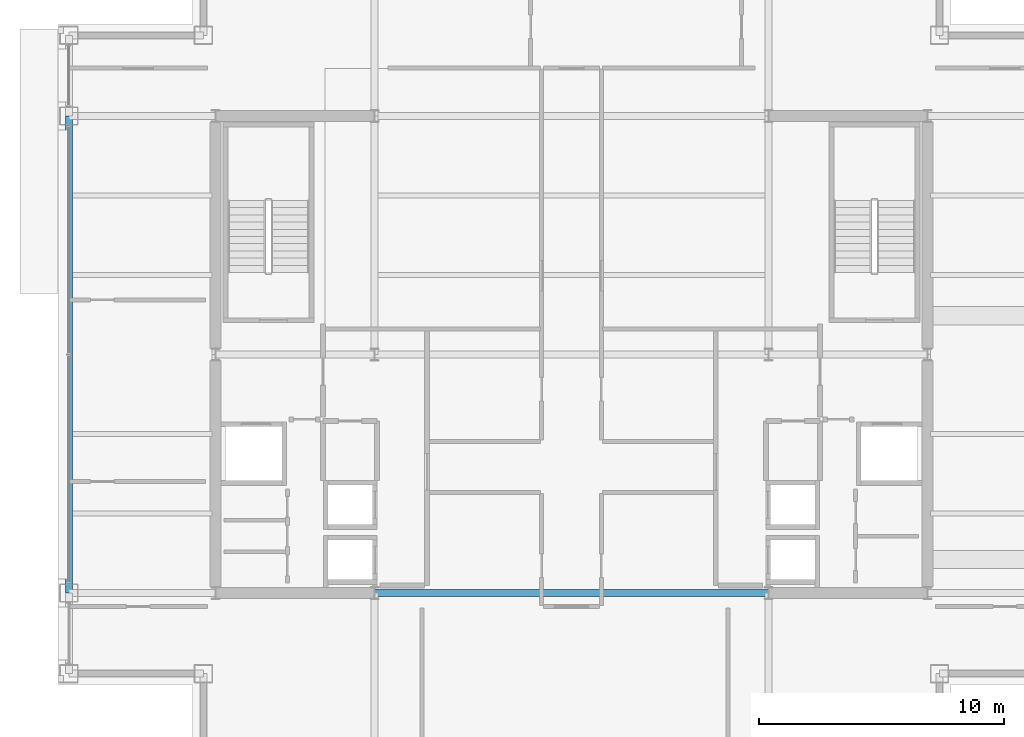
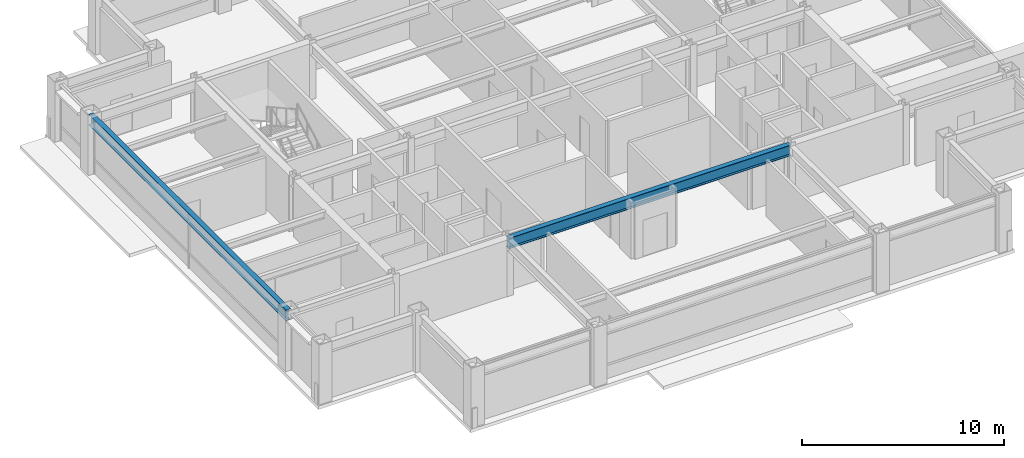
# One storey, part 7 of 26: 2 beams.
"""IFC4 building model written with IfcOpenShell, lengths in metres."""

import ifcopenshell
import ifcopenshell.guid

model = None  # the IFC model being written
_history = None  # IfcOwnerHistory: only IFC2X3 demands one
_inside = {}  # id of a spatial element -> (the spatial element, [elements in it])
_under = {}  # id of a project, library or spatial element -> (it, [spatial elements below it])
_declared = {}  # id of a project -> (the project, [libraries it declares])
_typed = {}  # id of a type object -> (the type object, [elements of that type])
_made_of = {}  # id of a material, layer set ... -> (it, [elements and type objects made of it])


def new_model(schema):
    """Start an empty IFC model of exactly this schema.

    Asked for "IFC4X3", IfcOpenShell would pick the latest addendum, in which some entities
    have other attributes; the version numbers below select the first issue.
    IFC2X3 requires an IfcOwnerHistory on every rooted entity: one is made here for all.
    """
    global model, _history
    if schema == "IFC4X3":
        model = ifcopenshell.file(schema_version=(4, 3, 0, 0))
    else:
        model = ifcopenshell.file(schema=schema)
    _inside.clear()
    _under.clear()
    _declared.clear()
    _typed.clear()
    _made_of.clear()
    _history = None
    if model.schema == "IFC2X3":
        org = make("IfcOrganization", Name="unknown")
        user = make(
            "IfcPersonAndOrganization",
            ThePerson=make("IfcPerson", FamilyName="unknown"),
            TheOrganization=org,
        )
        app = make(
            "IfcApplication",
            ApplicationDeveloper=org,
            Version="unknown",
            ApplicationFullName="unknown",
            ApplicationIdentifier="unknown",
        )
        _history = make(
            "IfcOwnerHistory",
            OwningUser=user,
            OwningApplication=app,
            ChangeAction="ADDED",
            CreationDate=0,
        )
    return model


def make(cls, **values):
    """One entity of the class cls with the attributes given. An attribute that is None is left unset."""
    return model.create_entity(
        cls, **{name: value for name, value in values.items() if value is not None}
    )


def rooted(cls, **values):
    """An entity with a GlobalId (a new one), such as an element, a storey or a relation."""
    return make(cls, GlobalId=ifcopenshell.guid.new(), OwnerHistory=_history, **values)


def si_unit(unit_type, name, prefix=None):
    """IfcSIUnit, for example si_unit("LENGTHUNIT", "METRE", prefix="MILLI")."""
    return make("IfcSIUnit", UnitType=unit_type, Prefix=prefix, Name=name)


def assignment(units):
    """IfcUnitAssignment: the units of a project."""
    return None if units is None else make("IfcUnitAssignment", Units=units)


def point(xyz):
    """IfcCartesianPoint."""
    return None if xyz is None else make("IfcCartesianPoint", Coordinates=xyz)


def direction(xyz):
    """IfcDirection."""
    return None if xyz is None else make("IfcDirection", DirectionRatios=xyz)


def frame(location, z_axis=None, x_axis=None):
    """IfcAxis2Placement3D, a coordinate frame: its origin and axes. An axis left out is left unset."""
    return make(
        "IfcAxis2Placement3D",
        Location=point(location),
        Axis=direction(z_axis),
        RefDirection=direction(x_axis),
    )


def frame_2d(location, x_axis=None):
    """IfcAxis2Placement2D, a coordinate frame in the plane: its origin and x axis."""
    return make(
        "IfcAxis2Placement2D", Location=point(location), RefDirection=direction(x_axis)
    )


def origin():
    """The frame at (0, 0, 0) with its axes left unset."""
    return frame((0.0, 0.0, 0.0))


def origin_2d():
    """The frame at (0, 0) in the plane with its x axis left unset."""
    return frame_2d((0.0, 0.0))


def place(relative_to, where):
    """IfcLocalPlacement: puts the frame where relative to a parent placement (None: the world)."""
    return make(
        "IfcLocalPlacement", PlacementRelTo=relative_to, RelativePlacement=where
    )


def context(
    kind, dimensions, precision=None, world=None, true_north=None, identifier=None
):
    """IfcGeometricRepresentationContext, for example the 3D "Model" context."""
    return make(
        "IfcGeometricRepresentationContext",
        ContextIdentifier=identifier,
        ContextType=kind,
        CoordinateSpaceDimension=dimensions,
        Precision=precision,
        WorldCoordinateSystem=world,
        TrueNorth=true_north,
    )


def subcontext(parent, identifier, kind, view, scale=None):
    """IfcGeometricRepresentationSubContext, for example "Body" below "Model"."""
    return make(
        "IfcGeometricRepresentationSubContext",
        ContextIdentifier=identifier,
        ContextType=kind,
        ParentContext=parent,
        TargetScale=scale,
        TargetView=view,
    )


def project(units=None, contexts=None):
    """IfcProject with its units and contexts."""
    return rooted(
        "IfcProject",
        Name="project",
        RepresentationContexts=contexts,
        UnitsInContext=assignment(units),
    )


def spatial(cls, under=None, at=None, **own):
    """A site, building, storey or space (cls), placed at a placement, below another one or the project."""
    s = rooted(cls, ObjectPlacement=at, **own)
    if under is not None:
        _under.setdefault(under.id(), (under, []))[1].append(s)
    return s


def profile(cls, at=None, kind="AREA", **sizes):
    """A parametric profile (cls). Its sizes go by their IFC names, for example OverallWidth=200.0."""
    return make(cls, ProfileType=kind, Position=at, **sizes)


def i_section(**sizes):
    """IfcIShapeProfileDef."""
    return profile("IfcIShapeProfileDef", **sizes)


def extrude(swept, where, along, depth):
    """IfcExtrudedAreaSolid: the profile swept, set in the frame where, extruded along a direction by depth."""
    return make(
        "IfcExtrudedAreaSolid",
        SweptArea=swept,
        Position=where,
        ExtrudedDirection=direction(along),
        Depth=depth,
    )


def shape(context_of_items, identifier, shape_type, items):
    """IfcShapeRepresentation: the items that make up one representation, for example the "Body"."""
    return make(
        "IfcShapeRepresentation",
        ContextOfItems=context_of_items,
        RepresentationIdentifier=identifier,
        RepresentationType=shape_type,
        Items=items,
    )


def material(Name=None, Category=None):
    """IfcMaterial."""
    return make("IfcMaterial", Name=Name, Category=Category)


def material_profile(
    of_material, cross_section, Name=None, Category=None, Priority=None
):
    """IfcMaterialProfile: a cross section and its material."""
    return make(
        "IfcMaterialProfile",
        Name=Name,
        Material=of_material,
        Profile=cross_section,
        Priority=Priority,
        Category=Category,
    )


def profile_set(profiles, Name=None, composite=None):
    """IfcMaterialProfileSet."""
    return make(
        "IfcMaterialProfileSet",
        Name=Name,
        MaterialProfiles=profiles,
        CompositeProfile=composite,
    )


def made_of(thing, what):
    """Note that an element or type object is made of a material, layer set ...; save() writes the relation."""
    if what is not None:
        _made_of.setdefault(what.id(), (what, []))[1].append(thing)
    return thing


def type_object(cls, material=None, **own):
    """A type object (cls), such as IfcWallType, which elements share."""
    return made_of(rooted(cls, **own), material)


def element(
    cls,
    number,
    at=None,
    inside=None,
    cuts=None,
    type_object=None,
    material=None,
    context=None,
    identifier="Body",
    shape_type=None,
    held_by="IfcProductDefinitionShape",
    body=None,
    shapes=None,
    **own,
):
    """One element of the class cls, such as IfcWall. Its Tag is "e" and its number.

    at: its placement. inside: the storey or other place that contains it. cuts: it is an
    opening in that element (IfcRelVoidsElement). A single representation is given by context,
    identifier, shape_type and body (its items); several are given by shapes. held_by: the class
    of the entity that holds the representations. save() writes the other relations.
    """
    e = rooted(cls, Tag="e%d" % number, ObjectPlacement=at, **own)
    if body is not None:
        shapes = [shape(context, identifier, shape_type, body)]
    if shapes is not None:
        e.Representation = make(held_by, Representations=shapes)
    if inside is not None:
        _inside.setdefault(inside.id(), (inside, []))[1].append(e)
    if cuts is not None:
        rooted(
            "IfcRelVoidsElement", RelatingBuildingElement=cuts, RelatedOpeningElement=e
        )
    if type_object is not None:
        _typed.setdefault(type_object.id(), (type_object, []))[1].append(e)
    return made_of(e, material)


def aggregate(whole, parts):
    """IfcRelAggregates: a whole, such as a stair, and the parts it consists of."""
    return rooted("IfcRelAggregates", RelatingObject=whole, RelatedObjects=parts)


def save(model, path):
    """Write the relations noted so far, then the file.

    IfcRelAggregates (storeys below a building ...), IfcRelContainedInSpatialStructure (elements
    in a storey), IfcRelDefinesByType, IfcRelAssociatesMaterial and IfcRelDeclares: one each for
    every whole, place, type object, material and project.
    """
    for whole, parts in _under.values():
        aggregate(whole, parts)
    for where, things in _inside.values():
        rooted(
            "IfcRelContainedInSpatialStructure",
            RelatedElements=things,
            RelatingStructure=where,
        )
    for kind, things in _typed.values():
        rooted("IfcRelDefinesByType", RelatedObjects=things, RelatingType=kind)
    for what, things in _made_of.values():
        rooted("IfcRelAssociatesMaterial", RelatedObjects=things, RelatingMaterial=what)
    for by, libraries in _declared.values():
        rooted("IfcRelDeclares", RelatingContext=by, RelatedDefinitions=libraries)
    model.write(path)


model = new_model("IFC4")

# Units and contexts
model_context = context("Model", 3, precision=1e-05, world=origin(), true_north=direction((0.0, 1.0)))
body_context = subcontext(model_context, "Body", "Model", "MODEL_VIEW")
ifc_project = project(units=[si_unit("LENGTHUNIT", "METRE"), si_unit("AREAUNIT", "SQUARE_METRE"), si_unit("VOLUMEUNIT", "CUBIC_METRE"), si_unit("PLANEANGLEUNIT", "RADIAN"), si_unit("MASSUNIT", "GRAM", prefix="KILO")], contexts=[model_context])

# Site, building, storey
site_placement = place(None, origin())
site = spatial("IfcSite", under=ifc_project, at=site_placement, CompositionType="ELEMENT")
building_placement = place(site_placement, origin())
building = spatial("IfcBuilding", under=site, at=building_placement, Name="Brelmoor Portico Tower", CompositionType="ELEMENT")
storey_placement = place(building_placement, frame((0.0, 0.0, 180.300048828125)))
storey = spatial("IfcBuildingStorey", under=building, at=storey_placement, Name="L47", CompositionType="ELEMENT", Elevation=180.300048828125)

# Beams
ifc_material = material(Name="Steel Q355B", Category="steel")
ifc_material_profile_1 = material_profile(ifc_material, i_section(OverallWidth=0.280029296875, OverallDepth=0.64990234375, WebThickness=0.012939453125, FlangeThickness=0.02197265625, at=origin_2d()), Name="HN 650x280x13x22")
ifc_profile_set_1 = profile_set([ifc_material_profile_1], Name="Steel Q355B")
beam_type_1 = type_object("IfcBeamType", Name="BM-PG-650", PredefinedType="BEAM", material=ifc_profile_set_1)
beam_1_placement = place(storey_placement, frame((-8.050048828125, -9.75, 3.074951171875), z_axis=(1.0, 0.0, 0.0), x_axis=(0.0, 1.0, 0.0)))
element("IfcBeam", 1, at=beam_1_placement, inside=storey, type_object=beam_type_1, Name="L47 Primary Floor Girder PG-13", PredefinedType="BEAM", context=body_context, shape_type="SweptSolid", body=[
    extrude(i_section(OverallWidth=0.280029296875, OverallDepth=0.64990234375, WebThickness=0.012939453125, FlangeThickness=0.02197265625, at=origin_2d()), origin(), (0.0, 0.0, 1.0), 16.10009765625),
])
ifc_material_profile_2 = material_profile(ifc_material, i_section(OverallWidth=0.280029296875, OverallDepth=0.64990234375, WebThickness=0.012939453125, FlangeThickness=0.02197265625, at=origin_2d()), Name="HN 650x280x13x22")
ifc_profile_set_2 = profile_set([ifc_material_profile_2], Name="Steel Q355B")
beam_type_2 = type_object("IfcBeamType", Name="BM-SP-650", PredefinedType="SPANDREL", material=ifc_profile_set_2)
beam_2_placement = place(storey_placement, frame((-20.550048828125, -9.75, 3.074951171875), z_axis=(0.0, 1.0, 0.0), x_axis=(-1.0, 0.0, 0.0)))
element("IfcBeam", 2, at=beam_2_placement, inside=storey, type_object=beam_type_2, Name="L47 Perimeter Spandrel Beam SP-12", PredefinedType="SPANDREL", context=body_context, shape_type="SweptSolid", body=[
    extrude(i_section(OverallWidth=0.280029296875, OverallDepth=0.64990234375, WebThickness=0.012939453125, FlangeThickness=0.02197265625, at=origin_2d()), origin(), (0.0, 0.0, 1.0), 19.5),
])

save(model, "model.ifc")
